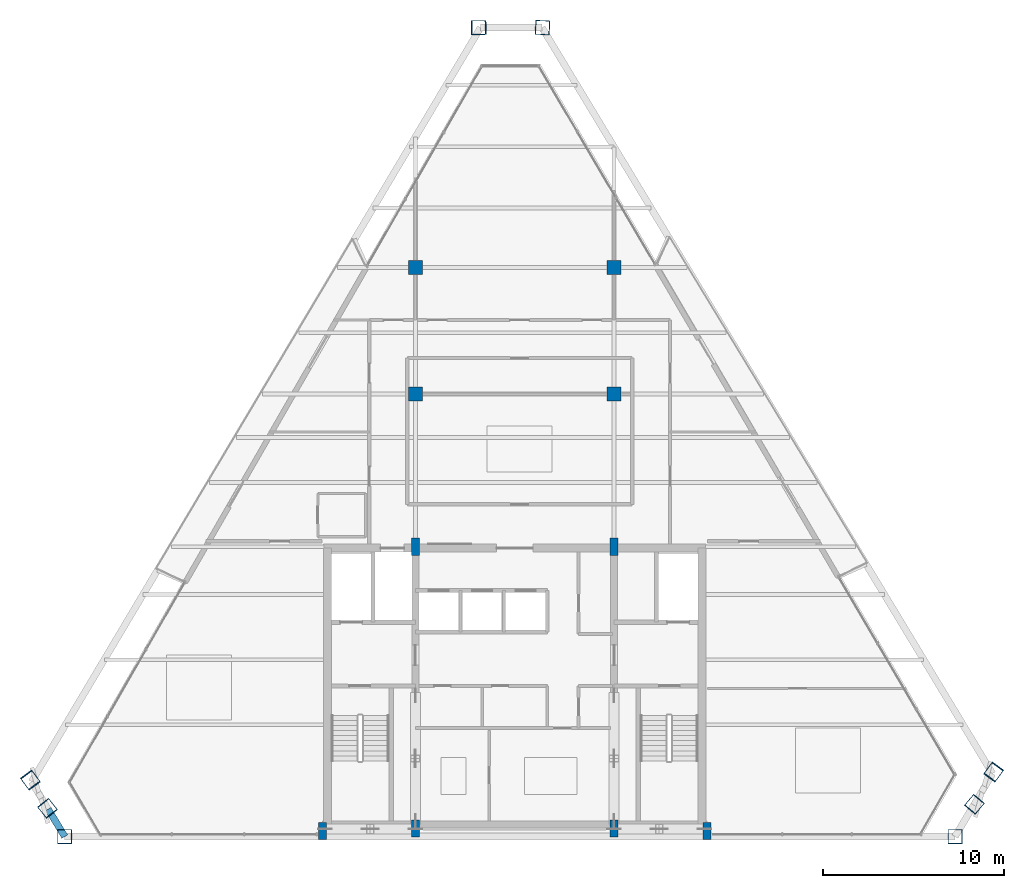
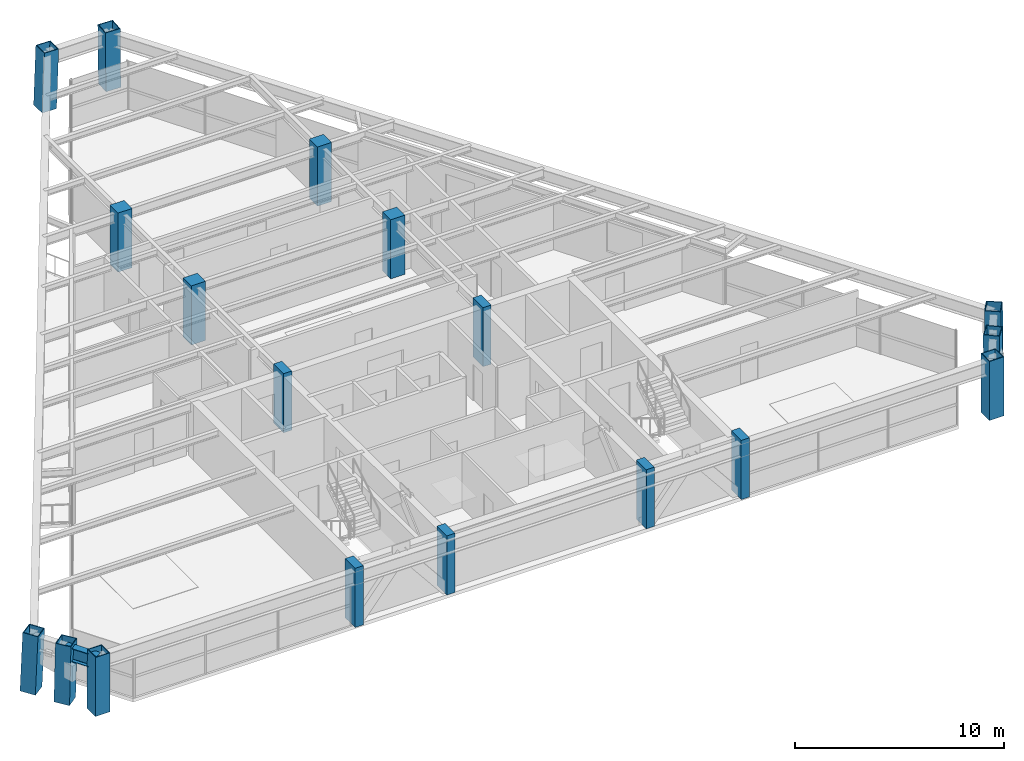
# One storey, part 1 of 13: 18 columns, 1 beam.
"""IFC4 building model written with IfcOpenShell, lengths in metres."""

from ifc_helpers import new_model, si_unit, direction, frame, origin, origin_2d, place, context, subcontext, project, spatial, rectangle, hollow_rectangle, i_section, extrude, source, transform, mapped, material, material_profile, profile_set, type_object, type_shapes, element, save


model = new_model("IFC4")

# Units and contexts
model_context = context("Model", 3, precision=1e-05, world=origin(), true_north=direction((0.0, 1.0)))
body_context = subcontext(model_context, "Body", "Model", "MODEL_VIEW")
ifc_project = project(units=[si_unit("LENGTHUNIT", "METRE"), si_unit("AREAUNIT", "SQUARE_METRE"), si_unit("VOLUMEUNIT", "CUBIC_METRE"), si_unit("PLANEANGLEUNIT", "RADIAN"), si_unit("MASSUNIT", "GRAM", prefix="KILO")], contexts=[model_context])

# Site, building, storey
site_placement = place(None, origin())
site = spatial("IfcSite", under=ifc_project, at=site_placement, CompositionType="ELEMENT")
building_placement = place(site_placement, origin())
building = spatial("IfcBuilding", under=site, at=building_placement, Name="Varnakhor Terracotta Tower", CompositionType="ELEMENT")
storey_placement = place(building_placement, frame((0.0, 0.0, 283.35009765625)))
storey = spatial("IfcBuildingStorey", under=building, at=storey_placement, Name="L74", CompositionType="ELEMENT", Elevation=283.35009765625)

# Columns
ifc_material_1 = material(Name="Concrete C50/60", Category="concrete")
ifc_material_profile_1 = material_profile(ifc_material_1, rectangle(XDim=0.449951171875, YDim=0.949951171875, at=origin_2d()), Name="RC PILASTER 950x450")
ifc_profile_set_1 = profile_set([ifc_material_profile_1], Name="Concrete C50/60")
column_type_1 = type_object("IfcColumnType", Name="COL-PIL-950x450", PredefinedType="PILASTER", material=ifc_profile_set_1)
shared_shape_1 = source(origin(), body_context, "Body", "SweptSolid", [
    extrude(rectangle(XDim=0.449951171875, YDim=0.949951171875, at=origin_2d()), origin(), (0.0, 0.0, 1.0), 3.449951171875),
])
for number, where, z_axis, x_axis, name in (
    (1, (-10.64990234375, 0.300048828125, 0.0), (0.0, 0.0, 1.0), (1.0, 0.0, 0.0), "L74 Core Pilaster CP1"),
    (2, (-5.5, 0.449951171875, 0.0), (0.0, 0.0, 1.0), (1.0, 0.0, 0.0), "L74 Core Pilaster CP2"),
    (3, (5.5, 0.449951171875, 0.0), (0.0, 0.0, 1.0), (1.0, 0.0, 0.0), "L74 Core Pilaster CP3"),
    (4, (10.64990234375, 0.300048828125, 0.0), (0.0, 0.0, 1.0), (1.0, 0.0, 0.0), "L74 Core Pilaster CP4"),
    (5, (-5.5, 16.050048828125, 0.0), (0.0, 0.0, 1.0), (1.0, 0.0, 0.0), "L74 Core Pilaster CP5"),
    (6, (5.5, 16.050048828125, 0.0), (0.0, 0.0, 1.0), (1.0, 0.0, 0.0), "L74 Core Pilaster CP6"),
):
    element("IfcColumn", number, at=place(storey_placement, frame(where, z_axis=z_axis, x_axis=x_axis)), inside=storey, type_object=column_type_1, Name=name, PredefinedType="PILASTER", context=body_context, shape_type="MappedRepresentation", body=[
        mapped(shared_shape_1, transform((0.0, 0.0, 0.0), scale=1.0)),
    ])
ifc_material_profile_2 = material_profile(ifc_material_1, rectangle(XDim=0.780029296875, YDim=0.780029296875, at=origin_2d()), Name="RC 780x780")
ifc_profile_set_2 = profile_set([ifc_material_profile_2], Name="Concrete C50/60")
column_type_2 = type_object("IfcColumnType", Name="COL-RC-780", PredefinedType="COLUMN", material=ifc_profile_set_2)
shared_shape_2 = source(origin(), body_context, "Body", "SweptSolid", [
    extrude(rectangle(XDim=0.780029296875, YDim=0.780029296875, at=origin_2d()), origin(), (0.0, 0.0, 1.0), 3.449951171875),
])
for number, where, z_axis, x_axis, name in (
    (7, (-5.5, 24.5, 0.0), (0.0, 0.0, 1.0), (1.0, 0.0, 0.0), "L74 Interior Tower Column IC1"),
    (8, (5.5, 24.5, 0.0), (0.0, 0.0, 1.0), (1.0, 0.0, 0.0), "L74 Interior Tower Column IC2"),
    (9, (-5.5, 31.5, 0.0), (0.0, 0.0, 1.0), (1.0, 0.0, 0.0), "L74 Interior Tower Column IC3"),
    (10, (5.5, 31.5, 0.0), (0.0, 0.0, 1.0), (1.0, 0.0, 0.0), "L74 Interior Tower Column IC4"),
):
    element("IfcColumn", number, at=place(storey_placement, frame(where, z_axis=z_axis, x_axis=x_axis)), inside=storey, type_object=column_type_2, Name=name, PredefinedType="COLUMN", context=body_context, shape_type="MappedRepresentation", body=[
        mapped(shared_shape_2, transform((0.0, 0.0, 0.0), scale=1.0)),
    ])
ifc_material_2 = material(Name="Steel S355", Category="steel")
ifc_material_profile_3 = material_profile(ifc_material_2, hollow_rectangle(XDim=0.800048828125, YDim=0.800048828125, WallThickness=0.0400390625, at=origin_2d()), Name="BOX 800x800x40")
ifc_profile_set_3 = profile_set([ifc_material_profile_3], Name="Steel S355")
column_type_3 = type_object("IfcColumnType", Name="COL-MEGA-800", PredefinedType="COLUMN", material=ifc_profile_set_3)
shared_shape_3 = source(origin(), body_context, "Body", "SweptSolid", [
    extrude(hollow_rectangle(XDim=0.800048828125, YDim=0.800048828125, WallThickness=0.0400390625, at=origin_2d()), origin(), (0.0, 0.0, 1.0), 3.44140625),
])
type_shapes(column_type_3, [shared_shape_3])
column_1_placement = place(storey_placement, frame((1.544189453125, 44.78955078125, 0.00439453125), z_axis=(-0.009577424025, 0.000496607172, 0.999954012108), x_axis=(-0.051782287273, -0.998658397414, 0.0)))
element("IfcColumn", 11, at=column_1_placement, inside=storey, type_object=column_type_3, Name="L74 Perimeter Mega-Column M5", PredefinedType="COLUMN", context=body_context, shape_type="MappedRepresentation", body=[
    mapped(shared_shape_3, transform((0.0, 0.0, 0.0), scale=1.0)),
])
shared_shape_4 = source(origin(), body_context, "Body", "SweptSolid", [
    extrude(hollow_rectangle(XDim=0.800048828125, YDim=0.800048828125, WallThickness=0.0400390625, at=origin_2d()), origin(), (0.0, 0.0, 1.0), 3.44189453125),
])
for number, where, z_axis, x_axis, name in (
    (12, (25.45947265625, 1.796142578125, 0.00439453125), (-0.013051601701, -0.015463310711, 0.999795249896), (0.764183490387, -0.644998909317, 0.0), "L74 Perimeter Mega-Column M3"),
    (13, (-25.87744140625, 1.57421875, 0.00439453125), (0.012980520503, -0.01624338358, 0.999783805919), (0.781201514264, 0.624278939346, 0.0), "L74 Perimeter Mega-Column M8"),
):
    element("IfcColumn", number, at=place(storey_placement, frame(where, z_axis=z_axis, x_axis=x_axis)), inside=storey, type_object=column_type_3, Name=name, PredefinedType="COLUMN", context=body_context, shape_type="MappedRepresentation", body=[
        mapped(shared_shape_4, transform((0.0, 0.0, 0.0), scale=1.0)),
    ])
shared_shape_5 = source(origin(), body_context, "Body", "SweptSolid", [
    extrude(hollow_rectangle(XDim=0.800048828125, YDim=0.800048828125, WallThickness=0.0400390625, at=origin_2d()), origin(), (0.0, 0.0, 1.0), 3.443359375),
])
column_2_placement = place(storey_placement, frame((-2.015625, 44.78955078125, 0.00439453125), z_axis=(0.035663707228, 0.000496314017, 0.999363724406), x_axis=(-0.013915153592, 0.999903179563, 0.0)))
element("IfcColumn", 14, at=column_2_placement, inside=storey, type_object=column_type_3, Name="L74 Perimeter Mega-Column M6", PredefinedType="COLUMN", context=body_context, shape_type="MappedRepresentation", body=[
    mapped(shared_shape_5, transform((0.0, 0.0, 0.0), scale=1.0)),
])
shared_shape_6 = source(origin(), body_context, "Body", "SweptSolid", [
    extrude(hollow_rectangle(XDim=0.800048828125, YDim=0.800048828125, WallThickness=0.0400390625, at=origin_2d()), origin(), (0.0, 0.0, 1.0), 3.441162109375),
])
for number, where, z_axis, x_axis, name in (
    (15, (-24.922607421875, 0.0, 0.00439453125), (0.001915569384, 0.0, 0.999998165295), (0.0, 1.0, 0.0), "L74 Perimeter Mega-Column M1"),
    (16, (24.388916015625, 0.0, 0.00439453125), (-0.003476389068, 0.0, 0.999993957341), (0.0, -1.0, 0.0), "L74 Perimeter Mega-Column M2"),
):
    element("IfcColumn", number, at=place(storey_placement, frame(where, z_axis=z_axis, x_axis=x_axis)), inside=storey, type_object=column_type_3, Name=name, PredefinedType="COLUMN", context=body_context, shape_type="MappedRepresentation", body=[
        mapped(shared_shape_6, transform((0.0, 0.0, 0.0), scale=1.0)),
    ])
shared_shape_7 = source(origin(), body_context, "Body", "SweptSolid", [
    extrude(hollow_rectangle(XDim=0.800048828125, YDim=0.800048828125, WallThickness=0.0400390625, at=origin_2d()), origin(), (0.0, 0.0, 1.0), 3.443603515625),
])
column_3_placement = place(storey_placement, frame((26.530029296875, 3.592529296875, 0.00439453125), z_axis=(-0.022615533349, -0.030910258747, 0.999266277603), x_axis=(0.807051840462, -0.590480589696, 0.0)))
element("IfcColumn", 17, at=column_3_placement, inside=storey, type_object=column_type_3, Name="L74 Perimeter Mega-Column M4", PredefinedType="COLUMN", context=body_context, shape_type="MappedRepresentation", body=[
    mapped(shared_shape_7, transform((0.0, 0.0, 0.0), scale=1.0)),
])
shared_shape_8 = source(origin(), body_context, "Body", "SweptSolid", [
    extrude(hollow_rectangle(XDim=0.800048828125, YDim=0.800048828125, WallThickness=0.0400390625, at=origin_2d()), origin(), (0.0, 0.0, 1.0), 3.444091796875),
])
column_4_placement = place(storey_placement, frame((-26.832275390625, 3.148681640625, 0.00439453125), z_axis=(0.024031397276, -0.032538086577, 0.999181547501), x_axis=(0.804394613229, 0.59409536794, 0.0)))
element("IfcColumn", 18, at=column_4_placement, inside=storey, type_object=column_type_3, Name="L74 Perimeter Mega-Column M7", PredefinedType="COLUMN", context=body_context, shape_type="MappedRepresentation", body=[
    mapped(shared_shape_8, transform((0.0, 0.0, 0.0), scale=1.0)),
])

# Beam
ifc_material_profile_4 = material_profile(ifc_material_2, i_section(OverallWidth=0.381103515625, OverallDepth=0.77294921875, WebThickness=0.01708984375, FlangeThickness=0.027099609375, FilletRadius=0.01806640625, at=origin_2d()), Name="W30X173")
ifc_profile_set_4 = profile_set([ifc_material_profile_4], Name="Steel S355")
beam_type = type_object("IfcBeamType", Name="BM-W30X173", PredefinedType="BEAM", material=ifc_profile_set_4)
shared_shape_9 = source(origin(), body_context, "Body", "SweptSolid", [
    extrude(i_section(OverallWidth=0.381103515625, OverallDepth=0.77294921875, WebThickness=0.01708984375, FlangeThickness=0.027099609375, FilletRadius=0.01806640625, at=origin_2d()), origin(), (0.0, 0.0, 1.0), 1.773681640625),
])
beam_placement = place(storey_placement, frame((-25.832763671875, 1.518310546875, 2.853515625), z_axis=(0.516882422428, -0.85605640082, 0.0), x_axis=(0.85605640082, 0.516882422428, 0.0)))
element("IfcBeam", 19, at=beam_placement, inside=storey, type_object=beam_type, Name="L74 Perimeter Spandrel 8", PredefinedType="BEAM", context=body_context, shape_type="MappedRepresentation", body=[
    mapped(shared_shape_9, transform((0.0, 0.0, 0.0), scale=1.0)),
])

save(model, "model.ifc")
